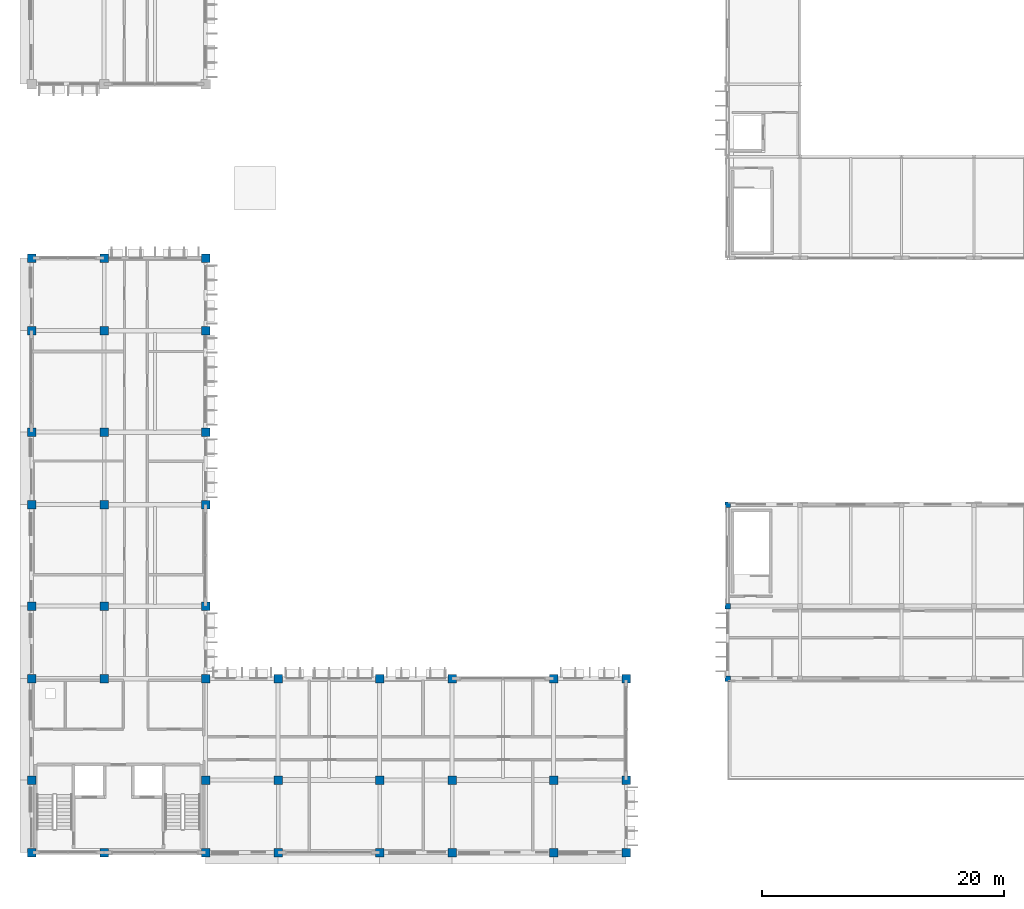
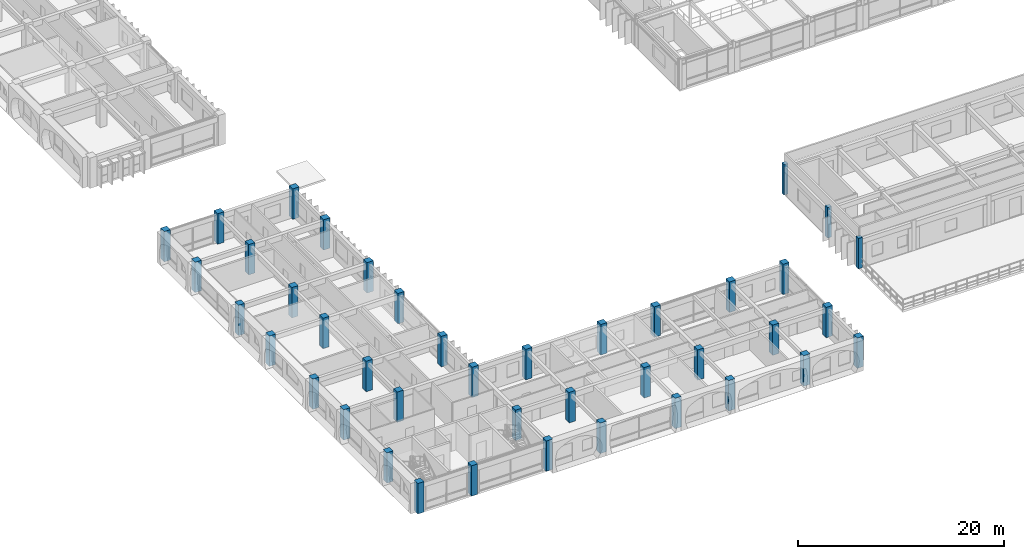
# One storey, part 1 of 88: 41 columns.
"""IFC4 building model written with IfcOpenShell, lengths in metres."""

from ifc_helpers import new_model, si_unit, direction, frame, origin, origin_2d, place, context, subcontext, project, spatial, rectangle, extrude, material, material_profile, profile_set, type_object, element, save


model = new_model("IFC4")

# Units and contexts
model_context = context("Model", 3, precision=1e-05, world=origin(), true_north=direction((0.0, 1.0)))
body_context = subcontext(model_context, "Body", "Model", "MODEL_VIEW")
ifc_project = project(units=[si_unit("LENGTHUNIT", "METRE"), si_unit("AREAUNIT", "SQUARE_METRE"), si_unit("VOLUMEUNIT", "CUBIC_METRE"), si_unit("PLANEANGLEUNIT", "RADIAN"), si_unit("MASSUNIT", "GRAM", prefix="KILO"), si_unit("THERMODYNAMICTEMPERATUREUNIT", "KELVIN")], contexts=[model_context])

# Site, building, storey
site_placement = place(None, origin())
site = spatial("IfcSite", under=ifc_project, at=site_placement, CompositionType="ELEMENT")
building_placement = place(site_placement, origin())
building = spatial("IfcBuilding", under=site, at=building_placement, Name="Thalorik Housing Commons", CompositionType="ELEMENT")
storey_placement = place(building_placement, frame((0.0, 0.0, 4.5)))
storey = spatial("IfcBuildingStorey", under=building, at=storey_placement, Name="L01", CompositionType="ELEMENT", Elevation=4.5)

# Columns
ifc_material = material(Name="Precast concrete C40/50", Category="concrete")
ifc_material_profile_1 = material_profile(ifc_material, rectangle(XDim=0.449951171875, YDim=0.449951171875, at=origin_2d()), Name="PC 450x450", Category="concrete")
ifc_profile_set_1 = profile_set([ifc_material_profile_1], Name="Precast concrete C40/50")
column_type_1 = type_object("IfcColumnType", Name="STR-COL-PC450", PredefinedType="COLUMN", material=ifc_profile_set_1)
for number, where, z_axis, x_axis, name in (
    (1, (66.0, 22.800048828125, 0.0), (0.0, 0.0, 1.0), (1.0, 0.0, 0.0), "L01 Column C-450"),
    (2, (66.0, 28.800048828125, 0.0), (0.0, 0.0, 1.0), (1.0, 0.0, 0.0), "L01 Column C-450"),
    (3, (66.0, 37.199951171875, 0.0), (0.0, 0.0, 1.0), (1.0, 0.0, 0.0), "L01 Column C-450"),
):
    element("IfcColumn", number, at=place(storey_placement, frame(where, z_axis=z_axis, x_axis=x_axis)), inside=storey, type_object=column_type_1, Name=name, PredefinedType="COLUMN", context=body_context, shape_type="SweptSolid", body=[
        extrude(rectangle(XDim=0.449951171875, YDim=0.449951171875, at=origin_2d()), origin(), (0.0, 0.0, 1.0), 3.60009765625),
    ])
ifc_material_profile_2 = material_profile(ifc_material, rectangle(XDim=0.699951171875, YDim=0.699951171875, at=origin_2d()), Name="PC 700x700", Category="concrete")
ifc_profile_set_2 = profile_set([ifc_material_profile_2], Name="Precast concrete C40/50")
column_type_2 = type_object("IfcColumnType", Name="STR-COL-PC700", PredefinedType="COLUMN", material=ifc_profile_set_2)
for number, where, z_axis, x_axis, name in (
    (4, (8.39990234375, 8.39990234375, 0.0), (0.0, 0.0, 1.0), (1.0, 0.0, 0.0), "L01 Column C-700"),
    (5, (8.39990234375, 14.39990234375, 0.0), (0.0, 0.0, 1.0), (1.0, 0.0, 0.0), "L01 Column C-700"),
    (6, (8.39990234375, 22.800048828125, 0.0), (0.0, 0.0, 1.0), (1.0, 0.0, 0.0), "L01 Column C-700"),
    (7, (8.39990234375, 28.800048828125, 0.0), (0.0, 0.0, 1.0), (1.0, 0.0, 0.0), "L01 Column C-700"),
    (8, (8.39990234375, 37.199951171875, 0.0), (0.0, 0.0, 1.0), (1.0, 0.0, 0.0), "L01 Column C-700"),
    (9, (8.39990234375, 43.199951171875, 0.0), (0.0, 0.0, 1.0), (1.0, 0.0, 0.0), "L01 Column C-700"),
    (10, (8.39990234375, 51.60009765625, 0.0), (0.0, 0.0, 1.0), (1.0, 0.0, 0.0), "L01 Column C-700"),
    (11, (8.39990234375, 57.60009765625, 0.0), (0.0, 0.0, 1.0), (1.0, 0.0, 0.0), "L01 Column C-700"),
    (12, (14.39990234375, 8.39990234375, 0.0), (0.0, 0.0, 1.0), (1.0, 0.0, 0.0), "L01 Column C-700"),
    (13, (14.39990234375, 22.800048828125, 0.0), (0.0, 0.0, 1.0), (1.0, 0.0, 0.0), "L01 Column C-700"),
    (14, (14.39990234375, 28.800048828125, 0.0), (0.0, 0.0, 1.0), (1.0, 0.0, 0.0), "L01 Column C-700"),
    (15, (14.39990234375, 37.199951171875, 0.0), (0.0, 0.0, 1.0), (1.0, 0.0, 0.0), "L01 Column C-700"),
    (16, (14.39990234375, 43.199951171875, 0.0), (0.0, 0.0, 1.0), (1.0, 0.0, 0.0), "L01 Column C-700"),
    (17, (14.39990234375, 51.60009765625, 0.0), (0.0, 0.0, 1.0), (1.0, 0.0, 0.0), "L01 Column C-700"),
    (18, (14.39990234375, 57.60009765625, 0.0), (0.0, 0.0, 1.0), (1.0, 0.0, 0.0), "L01 Column C-700"),
    (19, (22.800048828125, 8.39990234375, 0.0), (0.0, 0.0, 1.0), (1.0, 0.0, 0.0), "L01 Column C-700"),
    (20, (22.800048828125, 14.39990234375, 0.0), (0.0, 0.0, 1.0), (1.0, 0.0, 0.0), "L01 Column C-700"),
    (21, (22.800048828125, 22.800048828125, 0.0), (0.0, 0.0, 1.0), (1.0, 0.0, 0.0), "L01 Column C-700"),
    (22, (22.800048828125, 28.800048828125, 0.0), (0.0, 0.0, 1.0), (1.0, 0.0, 0.0), "L01 Column C-700"),
    (23, (22.800048828125, 37.199951171875, 0.0), (0.0, 0.0, 1.0), (1.0, 0.0, 0.0), "L01 Column C-700"),
    (24, (22.800048828125, 43.199951171875, 0.0), (0.0, 0.0, 1.0), (1.0, 0.0, 0.0), "L01 Column C-700"),
    (25, (22.800048828125, 51.60009765625, 0.0), (0.0, 0.0, 1.0), (1.0, 0.0, 0.0), "L01 Column C-700"),
    (26, (22.800048828125, 57.60009765625, 0.0), (0.0, 0.0, 1.0), (1.0, 0.0, 0.0), "L01 Column C-700"),
    (27, (28.800048828125, 8.39990234375, 0.0), (0.0, 0.0, 1.0), (1.0, 0.0, 0.0), "L01 Column C-700"),
    (28, (28.800048828125, 14.39990234375, 0.0), (0.0, 0.0, 1.0), (1.0, 0.0, 0.0), "L01 Column C-700"),
    (29, (28.800048828125, 22.800048828125, 0.0), (0.0, 0.0, 1.0), (1.0, 0.0, 0.0), "L01 Column C-700"),
    (30, (37.199951171875, 8.39990234375, 0.0), (0.0, 0.0, 1.0), (1.0, 0.0, 0.0), "L01 Column C-700"),
    (31, (37.199951171875, 14.39990234375, 0.0), (0.0, 0.0, 1.0), (1.0, 0.0, 0.0), "L01 Column C-700"),
    (32, (37.199951171875, 22.800048828125, 0.0), (0.0, 0.0, 1.0), (1.0, 0.0, 0.0), "L01 Column C-700"),
    (33, (43.199951171875, 8.39990234375, 0.0), (0.0, 0.0, 1.0), (1.0, 0.0, 0.0), "L01 Column C-700"),
    (34, (43.199951171875, 14.39990234375, 0.0), (0.0, 0.0, 1.0), (1.0, 0.0, 0.0), "L01 Column C-700"),
    (35, (43.199951171875, 22.800048828125, 0.0), (0.0, 0.0, 1.0), (1.0, 0.0, 0.0), "L01 Column C-700"),
    (36, (51.60009765625, 8.39990234375, 0.0), (0.0, 0.0, 1.0), (1.0, 0.0, 0.0), "L01 Column C-700"),
    (37, (51.60009765625, 14.39990234375, 0.0), (0.0, 0.0, 1.0), (1.0, 0.0, 0.0), "L01 Column C-700"),
    (38, (51.60009765625, 22.800048828125, 0.0), (0.0, 0.0, 1.0), (1.0, 0.0, 0.0), "L01 Column C-700"),
    (39, (57.60009765625, 8.39990234375, 0.0), (0.0, 0.0, 1.0), (1.0, 0.0, 0.0), "L01 Column C-700"),
    (40, (57.60009765625, 14.39990234375, 0.0), (0.0, 0.0, 1.0), (1.0, 0.0, 0.0), "L01 Column C-700"),
    (41, (57.60009765625, 22.800048828125, 0.0), (0.0, 0.0, 1.0), (1.0, 0.0, 0.0), "L01 Column C-700"),
):
    element("IfcColumn", number, at=place(storey_placement, frame(where, z_axis=z_axis, x_axis=x_axis)), inside=storey, type_object=column_type_2, Name=name, PredefinedType="COLUMN", context=body_context, shape_type="SweptSolid", body=[
        extrude(rectangle(XDim=0.699951171875, YDim=0.699951171875, at=origin_2d()), origin(), (0.0, 0.0, 1.0), 3.60009765625),
    ])

save(model, "model.ifc")
